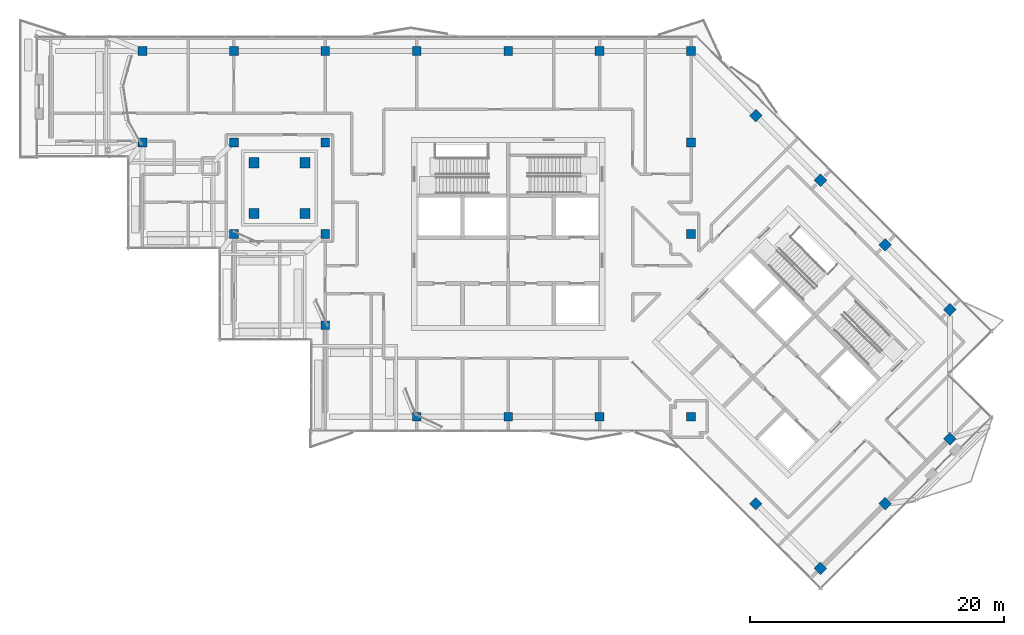
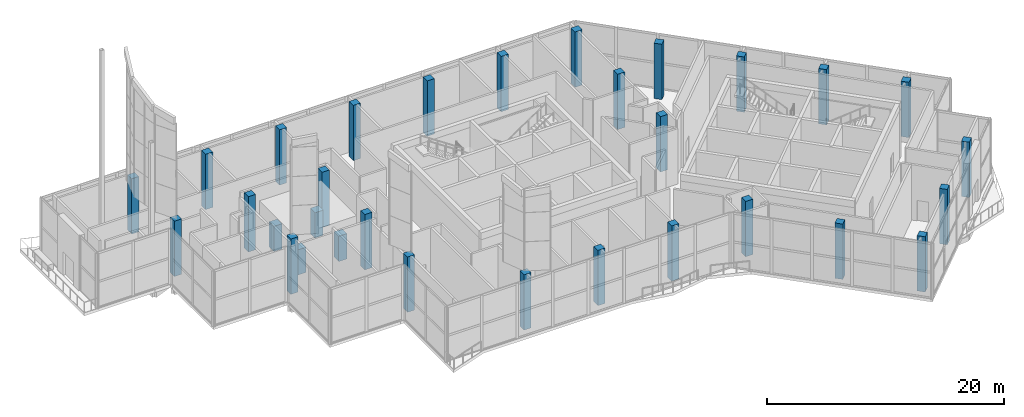
# One storey, part 1 of 19: 31 columns.
"""IFC4 building model written with IfcOpenShell, lengths in metres."""

from ifc_helpers import new_model, si_unit, direction, frame, origin, origin_2d, place, context, subcontext, project, spatial, rectangle, extrude, material, material_profile, profile_set, type_object, element, save


model = new_model("IFC4")

# Units and contexts
model_context = context("Model", 3, precision=1e-05, world=origin(), true_north=direction((0.0, 1.0)))
body_context = subcontext(model_context, "Body", "Model", "MODEL_VIEW")
ifc_project = project(units=[si_unit("LENGTHUNIT", "METRE"), si_unit("AREAUNIT", "SQUARE_METRE"), si_unit("VOLUMEUNIT", "CUBIC_METRE"), si_unit("PLANEANGLEUNIT", "RADIAN"), si_unit("MASSUNIT", "GRAM", prefix="KILO")], contexts=[model_context])

# Site, building, storey
site_placement = place(None, origin())
site = spatial("IfcSite", under=ifc_project, at=site_placement, CompositionType="ELEMENT")
building_placement = place(site_placement, origin())
building = spatial("IfcBuilding", under=site, at=building_placement, Name="Windrow Commons", CompositionType="ELEMENT")
storey_placement = place(building_placement, frame((0.0, 0.0, 284.6)))
storey = spatial("IfcBuildingStorey", under=building, at=storey_placement, Name="L78", CompositionType="ELEMENT", Elevation=284.6)

# Columns
ifc_material_1 = material(Name="Concrete C40/50", Category="concrete")
ifc_material_profile_1 = material_profile(ifc_material_1, rectangle(XDim=0.7, YDim=0.7, at=origin_2d()))
ifc_profile_set_1 = profile_set([ifc_material_profile_1], Name="Concrete C40/50")
column_type_1 = type_object("IfcColumnType", Name="RC COLUMN 700x700 C40/50", PredefinedType="COLUMN", material=ifc_profile_set_1)
for number, where, z_axis, x_axis, name in (
    (1, (36.0, 64.8, 0.0), (0.0, 0.0, 1.0), (1.0, 0.0, 0.0), "C-C-06I"),
    (2, (36.0, 72.0, 0.0), (0.0, 0.0, 1.0), (1.0, 0.0, 0.0), "C-C-06J"),
    (3, (43.2, 57.6, 0.0), (0.0, 0.0, 1.0), (1.0, 0.0, 0.0), "C-C-07H"),
    (4, (43.2, 64.8, 0.0), (0.0, 0.0, 1.0), (1.0, 0.0, 0.0), "C-C-07I"),
    (5, (43.2, 72.0, 0.0), (0.0, 0.0, 1.0), (1.0, 0.0, 0.0), "C-C-07J"),
    (6, (50.4, 50.4, 0.0), (0.0, 0.0, 1.0), (1.0, 0.0, 0.0), "C-C-08G"),
    (7, (50.4, 57.6, 0.0), (0.0, 0.0, 1.0), (1.0, 0.0, 0.0), "C-C-08H"),
    (8, (50.4, 64.8, 0.0), (0.0, 0.0, 1.0), (1.0, 0.0, 0.0), "C-C-08I"),
    (9, (50.4, 72.0, 0.0), (0.0, 0.0, 1.0), (1.0, 0.0, 0.0), "C-C-08J"),
    (10, (57.6, 43.2, 0.0), (0.0, 0.0, 1.0), (1.0, 0.0, 0.0), "C-C-09F"),
    (11, (57.6, 72.0, 0.0), (0.0, 0.0, 1.0), (1.0, 0.0, 0.0), "C-C-09J"),
    (12, (64.8, 43.2, 0.0), (0.0, 0.0, 1.0), (1.0, 0.0, 0.0), "C-C-10F"),
    (13, (64.8, 72.0, 0.0), (0.0, 0.0, 1.0), (1.0, 0.0, 0.0), "C-C-10J"),
    (14, (72.0, 43.2, 0.0), (0.0, 0.0, 1.0), (1.0, 0.0, 0.0), "C-C-11F"),
    (15, (72.0, 72.0, 0.0), (0.0, 0.0, 1.0), (1.0, 0.0, 0.0), "C-C-11J"),
    (16, (79.2, 43.2, 0.0), (0.0, 0.0, 1.0), (1.0, 0.0, 0.0), "C-C-12F"),
    (17, (79.2, 57.6, 0.0), (0.0, 0.0, 1.0), (1.0, 0.0, 0.0), "C-C-12H"),
    (18, (79.2, 64.8, 0.0), (0.0, 0.0, 1.0), (1.0, 0.0, 0.0), "C-C-12I"),
    (19, (79.2, 72.0, 0.0), (0.0, 0.0, 1.0), (1.0, 0.0, 0.0), "C-C-12J"),
    (20, (84.2912, 66.9088, 0.0), (0.0, 0.0, 1.0), (0.7071067812, -0.7071067812, 0.0), "C-C-P2Q"),
    (21, (89.3823, 61.8177, 0.0), (0.0, 0.0, 1.0), (0.7071067812, -0.7071067812, 0.0), "C-C-P3Q"),
    (22, (94.4735, 56.7265, 0.0), (0.0, 0.0, 1.0), (0.7071067812, -0.7071067812, 0.0), "C-C-P4Q"),
    (23, (99.5647, 51.6353, 0.0), (0.0, 0.0, 1.0), (0.7071067812, -0.7071067812, 0.0), "C-C-P5Q"),
    (24, (84.2912, 36.3618, 0.0), (0.0, 0.0, 1.0), (0.7071067812, -0.7071067812, 0.0), "C-C-P5T"),
    (25, (99.5647, 41.453, 0.0), (0.0, 0.0, 1.0), (0.7071067812, -0.7071067812, 0.0), "C-C-P6R"),
    (26, (94.4735, 36.3618, 0.0), (0.0, 0.0, 1.0), (0.7071067812, -0.7071067812, 0.0), "C-C-P6S"),
    (27, (89.3823, 31.2706, 0.0), (0.0, 0.0, 1.0), (0.7071067812, -0.7071067812, 0.0), "C-C-P6T"),
):
    element("IfcColumn", number, at=place(storey_placement, frame(where, z_axis=z_axis, x_axis=x_axis)), inside=storey, type_object=column_type_1, Name=name, PredefinedType="COLUMN", context=body_context, shape_type="SweptSolid", body=[
        extrude(rectangle(XDim=0.7, YDim=0.7, at=origin_2d()), origin(), (0.0, 0.0, 1.0), 5.7),
    ])
ifc_material_2 = material(Name="Concrete C60/75", Category="concrete")
ifc_material_profile_2 = material_profile(ifc_material_2, rectangle(XDim=0.8, YDim=0.8, at=origin_2d()))
ifc_profile_set_2 = profile_set([ifc_material_profile_2], Name="Concrete C60/75")
column_type_2 = type_object("IfcColumnType", Name="RC DAMPER PEDESTAL 800x800 C60/75", PredefinedType="COLUMN", material=ifc_profile_set_2)
for number, where, z_axis, x_axis, name in (
    (28, (44.8, 59.2, 0.5), (0.0, 0.0, 1.0), (1.0, 0.0, 0.0), "Damper pedestal 1"),
    (29, (48.8, 59.2, 0.5), (0.0, 0.0, 1.0), (1.0, 0.0, 0.0), "Damper pedestal 2"),
    (30, (48.8, 63.2, 0.5), (0.0, 0.0, 1.0), (1.0, 0.0, 0.0), "Damper pedestal 3"),
    (31, (44.8, 63.2, 0.5), (0.0, 0.0, 1.0), (1.0, 0.0, 0.0), "Damper pedestal 4"),
):
    element("IfcColumn", number, at=place(storey_placement, frame(where, z_axis=z_axis, x_axis=x_axis)), inside=storey, type_object=column_type_2, Name=name, PredefinedType="COLUMN", context=body_context, shape_type="SweptSolid", body=[
        extrude(rectangle(XDim=0.8, YDim=0.8, at=origin_2d()), origin(), (0.0, 0.0, 1.0), 2.6),
    ])

save(model, "model.ifc")
